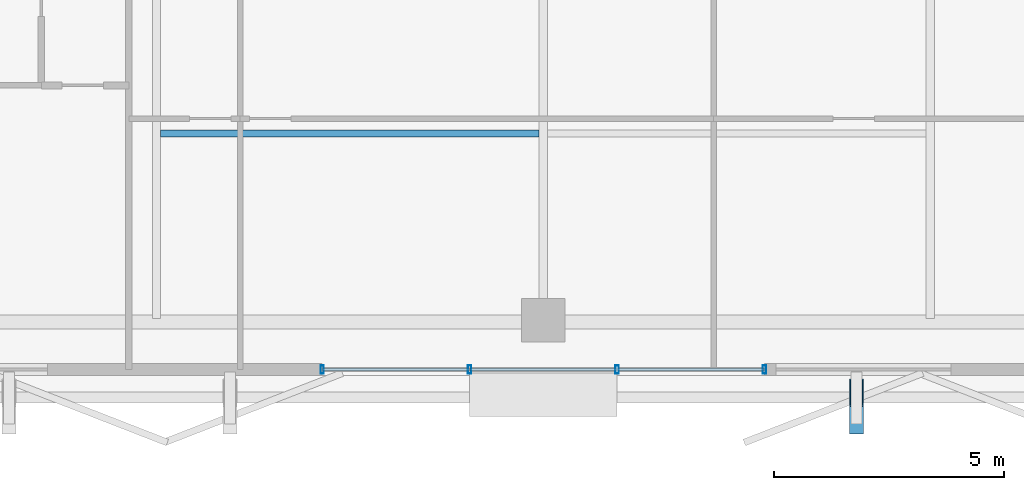
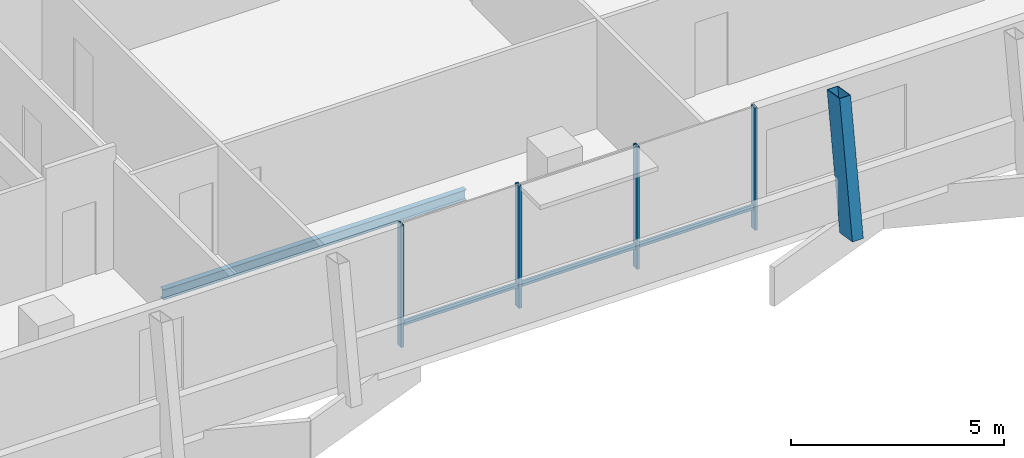
# One storey, part 4 of 26: 8 members, 1 beam, 1 element without a shape of its own.
"""IFC4 building model written with IfcOpenShell, lengths in metres."""

from ifc_helpers import new_model, si_unit, direction, frame, origin, origin_2d, place, context, subcontext, project, spatial, hollow_rectangle, i_section, extrude, material, layer, layer_set, material_profile, profile_set, type_object, element, aggregate, save


model = new_model("IFC4")

# Units and contexts
model_context = context("Model", 3, precision=1e-05, world=origin(), true_north=direction((0.0, 1.0)))
body_context = subcontext(model_context, "Body", "Model", "MODEL_VIEW")
ifc_project = project(units=[si_unit("LENGTHUNIT", "METRE"), si_unit("AREAUNIT", "SQUARE_METRE"), si_unit("VOLUMEUNIT", "CUBIC_METRE"), si_unit("PLANEANGLEUNIT", "RADIAN"), si_unit("MASSUNIT", "GRAM", prefix="KILO")], contexts=[model_context])

# Site, building, storey
site_placement = place(None, origin())
site = spatial("IfcSite", under=ifc_project, at=site_placement, CompositionType="ELEMENT")
building_placement = place(site_placement, origin())
building = spatial("IfcBuilding", under=site, at=building_placement, Name="Belovzor Exchange Tower", CompositionType="ELEMENT")
storey_placement = place(building_placement, frame((0.0, 0.0, 295.5)))
storey = spatial("IfcBuildingStorey", under=building, at=storey_placement, Name="L73", CompositionType="ELEMENT", Elevation=295.5)

# Beam
ifc_material_1 = material(Name="Steel S355", Category="steel")
ifc_material_profile_1 = material_profile(ifc_material_1, i_section(OverallWidth=0.14990234375, OverallDepth=0.300048828125, WebThickness=0.007080078125, FlangeThickness=0.0107421875, at=origin_2d()))
ifc_profile_set_1 = profile_set([ifc_material_profile_1], Name="Steel S355")
beam_type = type_object("IfcBeamType", Name="Secondary Trim Floor Joist IPE 300", PredefinedType="BEAM", material=ifc_profile_set_1)
beam_placement = place(storey_placement, frame((20.489990234375, 11.256103515625, -0.389892578125), z_axis=(1.0, 0.0, 0.0), x_axis=(0.0, 1.0, 0.0)))
element("IfcBeam", 1, at=beam_placement, inside=storey, type_object=beam_type, Name="FJ-300 Secondary Trim Floor Joist IPE 300", PredefinedType="BEAM", context=body_context, shape_type="SweptSolid", body=[
    extrude(i_section(OverallWidth=0.14990234375, OverallDepth=0.300048828125, WebThickness=0.007080078125, FlangeThickness=0.0107421875, at=origin_2d()), origin(), (0.0, 0.0, 1.0), 8.219970703125),
])

# Curtain wall, members
ifc_material_2 = material(Name="Anodised Aluminium Framing", Category="aluminium")
ifc_layer = layer(ifc_material_2, 0.179931640625)
ifc_layer_set = layer_set([ifc_layer], Name="Anodised Aluminium Framing")
curtain_wall_type = type_object("IfcCurtainWallType", Name="Recessed Loggia Low-Iron Triple-Glazed Curtain Wall", PredefinedType="NOTDEFINED", material=ifc_layer_set)
curtain_wall_placement = place(storey_placement, origin())
curtain_wall = element("IfcCurtainWall", 2, at=curtain_wall_placement, inside=storey, type_object=curtain_wall_type, Name="CW3 Recessed Loggia Low-Iron Triple-Glazed Curtain Wall L73", PredefinedType="NOTDEFINED")
ifc_material_3 = material(Name="Steel S355", Category="steel")
ifc_material_profile_2 = material_profile(ifc_material_3, hollow_rectangle(XDim=0.074951171875, YDim=0.179931640625, WallThickness=0.0048828125, at=origin_2d()))
ifc_profile_set_2 = profile_set([ifc_material_profile_2], Name="Steel S355")
member_type_1 = type_object("IfcMemberType", Name="Thermally Broken Curtain Wall Mullion 180x75", PredefinedType="MULLION", material=ifc_profile_set_2)
member_1_placement = place(storey_placement, frame((33.60009765625, 6.1298828125, 0.0), z_axis=(0.0, 0.0, 1.0), x_axis=(-1.0, 0.0, 0.0)))
member_1 = element("IfcMember", 3, at=member_1_placement, type_object=member_type_1, Name="CW-M180 Curtain Wall Mullion 1", PredefinedType="MULLION", context=body_context, shape_type="SweptSolid", body=[
    extrude(hollow_rectangle(XDim=0.074951171875, YDim=0.179931640625, WallThickness=0.0048828125, at=origin_2d()), origin(), (0.0, 0.0, 1.0), 3.510009765625),
])
member_2_placement = place(storey_placement, frame((30.39990234375, 6.1298828125, 0.0), z_axis=(0.0, 0.0, 1.0), x_axis=(-1.0, 0.0, 0.0)))
member_2 = element("IfcMember", 4, at=member_2_placement, type_object=member_type_1, Name="CW-M180 Curtain Wall Mullion 2", PredefinedType="MULLION", context=body_context, shape_type="SweptSolid", body=[
    extrude(hollow_rectangle(XDim=0.074951171875, YDim=0.179931640625, WallThickness=0.0048828125, at=origin_2d()), origin(), (0.0, 0.0, 1.0), 3.510009765625),
])
member_3_placement = place(storey_placement, frame((27.199951171875, 6.1298828125, 0.0), z_axis=(0.0, 0.0, 1.0), x_axis=(-1.0, 0.0, 0.0)))
member_3 = element("IfcMember", 5, at=member_3_placement, type_object=member_type_1, Name="CW-M180 Curtain Wall Mullion 3", PredefinedType="MULLION", context=body_context, shape_type="SweptSolid", body=[
    extrude(hollow_rectangle(XDim=0.074951171875, YDim=0.179931640625, WallThickness=0.0048828125, at=origin_2d()), origin(), (0.0, 0.0, 1.0), 3.510009765625),
])
member_4_placement = place(storey_placement, frame((24.0, 6.1298828125, 0.0), z_axis=(0.0, 0.0, 1.0), x_axis=(-1.0, 0.0, 0.0)))
member_4 = element("IfcMember", 6, at=member_4_placement, type_object=member_type_1, Name="CW-M180 Curtain Wall Mullion 4", PredefinedType="MULLION", context=body_context, shape_type="SweptSolid", body=[
    extrude(hollow_rectangle(XDim=0.074951171875, YDim=0.179931640625, WallThickness=0.0048828125, at=origin_2d()), origin(), (0.0, 0.0, 1.0), 3.510009765625),
])
ifc_material_4 = material(Name="Steel S355", Category="steel")
ifc_material_profile_3 = material_profile(ifc_material_4, hollow_rectangle(XDim=0.06005859375, YDim=0.14990234375, WallThickness=0.00390625, at=origin_2d()))
ifc_profile_set_3 = profile_set([ifc_material_profile_3], Name="Steel S355")
member_type_2 = type_object("IfcMemberType", Name="Thermally Broken Curtain Wall Transom 150x60", PredefinedType="USERDEFINED", material=ifc_profile_set_3)
member_5_placement = place(storey_placement, frame((33.592041015625, 6.1298828125, 0.632080078125), z_axis=(-1.0, 0.0, 0.0), x_axis=(0.0, -1.0, 0.0)))
member_5 = element("IfcMember", 7, at=member_5_placement, type_object=member_type_2, Name="CW-T150 Curtain Wall Transom 1", ObjectType="TRANSOM", PredefinedType="USERDEFINED", context=body_context, shape_type="SweptSolid", body=[
    extrude(hollow_rectangle(XDim=0.06005859375, YDim=0.14990234375, WallThickness=0.00390625, at=origin_2d()), origin(), (0.0, 0.0, 1.0), 3.18408203125),
])
member_6_placement = place(storey_placement, frame((30.39208984375, 6.1298828125, 0.632080078125), z_axis=(-1.0, 0.0, 0.0), x_axis=(0.0, -1.0, 0.0)))
member_6 = element("IfcMember", 8, at=member_6_placement, type_object=member_type_2, Name="CW-T150 Curtain Wall Transom 2", ObjectType="TRANSOM", PredefinedType="USERDEFINED", context=body_context, shape_type="SweptSolid", body=[
    extrude(hollow_rectangle(XDim=0.06005859375, YDim=0.14990234375, WallThickness=0.00390625, at=origin_2d()), origin(), (0.0, 0.0, 1.0), 3.18408203125),
])
member_7_placement = place(storey_placement, frame((27.19189453125, 6.1298828125, 0.632080078125), z_axis=(-1.0, 0.0, 0.0), x_axis=(0.0, -1.0, 0.0)))
member_7 = element("IfcMember", 9, at=member_7_placement, type_object=member_type_2, Name="CW-T150 Curtain Wall Transom 3", ObjectType="TRANSOM", PredefinedType="USERDEFINED", context=body_context, shape_type="SweptSolid", body=[
    extrude(hollow_rectangle(XDim=0.06005859375, YDim=0.14990234375, WallThickness=0.00390625, at=origin_2d()), origin(), (0.0, 0.0, 1.0), 3.183837890625),
])
aggregate(curtain_wall, [member_1, member_2, member_3, member_4, member_5, member_6, member_7])

# Member
ifc_material_5 = material(Name="Extruded Architectural Terracotta on Steel S355 Carrier", Category="masonry")
ifc_material_profile_4 = material_profile(ifc_material_5, hollow_rectangle(XDim=0.300048828125, YDim=0.60009765625, WallThickness=0.01611328125, at=origin_2d()))
ifc_profile_set_4 = profile_set([ifc_material_profile_4], Name="Extruded Architectural Terracotta on Steel S355 Carrier")
member_type_3 = type_object("IfcMemberType", Name="Upper Crown Terracotta Fin Assembly 550", PredefinedType="USERDEFINED", material=ifc_profile_set_4)
member_8_placement = place(storey_placement, frame((35.60009765625, 5.02490234375, -0.239990234375), z_axis=(0.0, 0.158015573692, 0.987436619977), x_axis=(-1.0, 0.0, 0.0)))
element("IfcMember", 10, at=member_8_placement, inside=storey, type_object=member_type_3, Name="FIN-TC055 Terracotta Facade Fin L73 S3", ObjectType="FIN", PredefinedType="USERDEFINED", context=body_context, shape_type="SweptSolid", body=[
    extrude(hollow_rectangle(XDim=0.300048828125, YDim=0.60009765625, WallThickness=0.01611328125, at=origin_2d()), origin(), (0.0, 0.0, 1.0), 3.797607421875),
])

save(model, "model.ifc")
